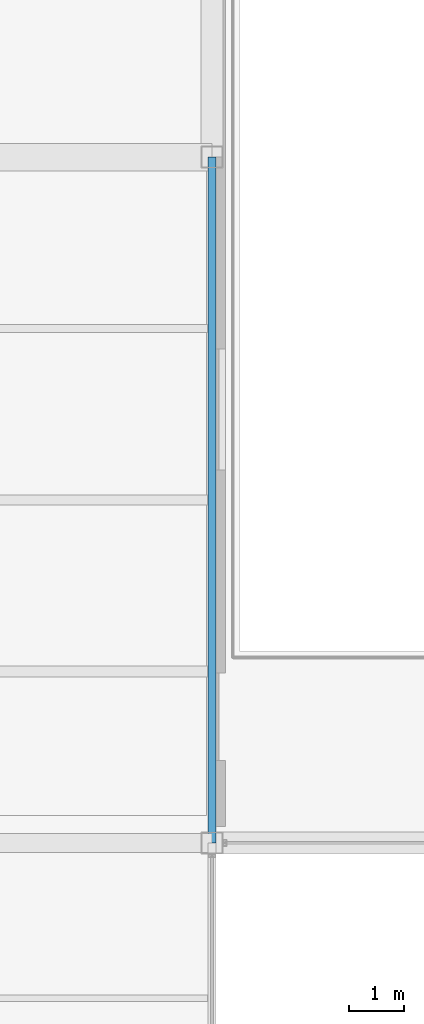
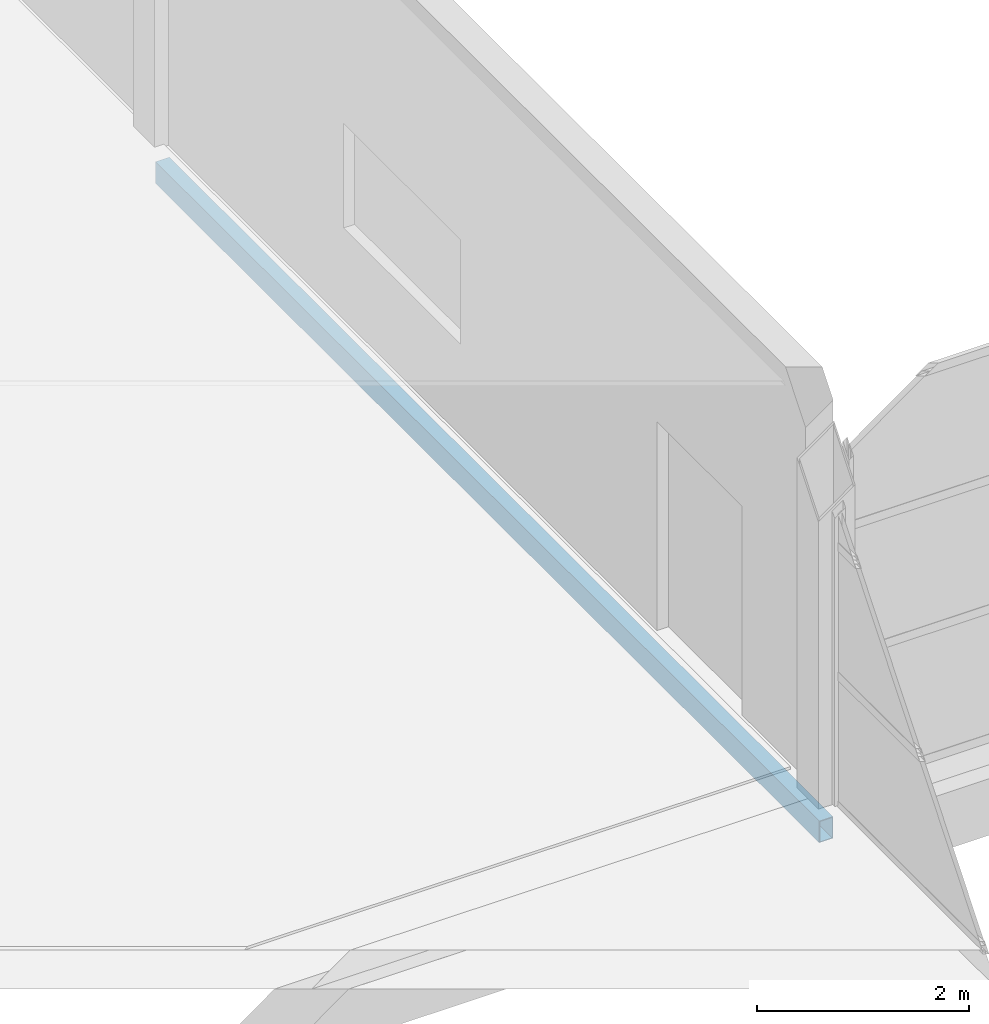
# One storey, part 75 of 112: 1 beam.
"""IFC4 building model written with IfcOpenShell, lengths in metres."""

from ifc_helpers import new_model, si_unit, direction, frame, origin, origin_2d, place, context, subcontext, project, spatial, hollow_rectangle, extrude, material, material_profile, profile_set, type_object, element, save


model = new_model("IFC4")

# Units and contexts
model_context = context("Model", 3, precision=1e-05, world=origin(), true_north=direction((0.0, 1.0)))
body_context = subcontext(model_context, "Body", "Model", "MODEL_VIEW")
ifc_project = project(units=[si_unit("LENGTHUNIT", "METRE"), si_unit("AREAUNIT", "SQUARE_METRE"), si_unit("VOLUMEUNIT", "CUBIC_METRE"), si_unit("PLANEANGLEUNIT", "RADIAN"), si_unit("MASSUNIT", "GRAM", prefix="KILO")], contexts=[model_context])

# Site, building, storey
site_placement = place(None, origin())
site = spatial("IfcSite", under=ifc_project, at=site_placement, CompositionType="ELEMENT")
building_placement = place(site_placement, origin())
building = spatial("IfcBuilding", under=site, at=building_placement, Name="Solvikara Media Centre", CompositionType="ELEMENT")
storey_placement = place(building_placement, frame((0.0, 0.0, 5.39990234375)))
storey = spatial("IfcBuildingStorey", under=building, at=storey_placement, Name="L01", CompositionType="ELEMENT", Elevation=5.39990234375)

# Beam
ifc_material = material(Name="Steel S355JR", Category="steel")
ifc_material_profile = material_profile(ifc_material, hollow_rectangle(XDim=0.14990234375, YDim=0.25, WallThickness=0.008056640625, at=origin_2d()), Name="RHS 250x150x8")
ifc_profile_set = profile_set([ifc_material_profile], Name="Steel S355JR")
beam_type = type_object("IfcBeamType", Name="BM-36", PredefinedType="JOIST", material=ifc_profile_set)
beam_placement = place(storey_placement, frame((136.5, 89.0, -0.427001953125), z_axis=(0.0, 1.0, 0.0), x_axis=(-1.0, 0.0, 0.0)))
element("IfcBeam", 1, at=beam_placement, inside=storey, type_object=beam_type, Name="B-L01-Y0618", PredefinedType="JOIST", context=body_context, shape_type="SweptSolid", body=[
    extrude(hollow_rectangle(XDim=0.14990234375, YDim=0.25, WallThickness=0.008056640625, at=origin_2d()), origin(), (0.0, 0.0, 1.0), 12.5),
])

save(model, "model.ifc")
